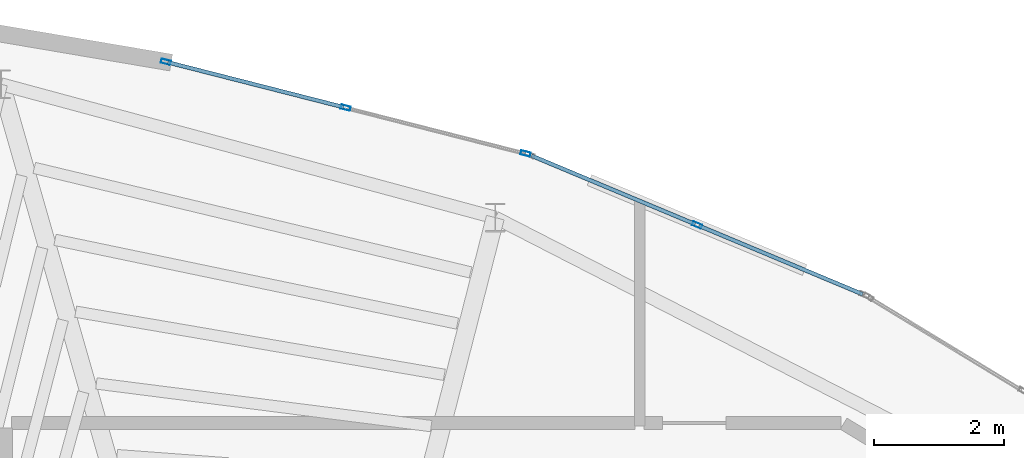
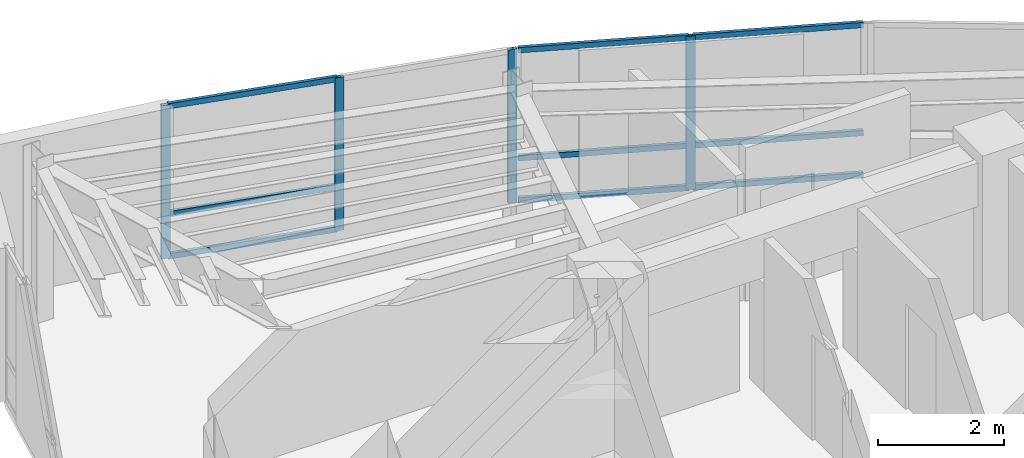
# One storey, part 9 of 14: 13 members, 2 elements without a shape of their own.
"""IFC4 building model written with IfcOpenShell, lengths in metres."""

from ifc_helpers import new_model, si_unit, direction, frame, origin, origin_2d, place, context, subcontext, project, spatial, hollow_rectangle, extrude, material, layer, layer_set, material_profile, profile_set, type_object, element, aggregate, save


model = new_model("IFC4")

# Units and contexts
model_context = context("Model", 3, precision=1e-05, world=origin(), true_north=direction((0.0, 1.0)))
body_context = subcontext(model_context, "Body", "Model", "MODEL_VIEW")
ifc_project = project(units=[si_unit("LENGTHUNIT", "METRE"), si_unit("AREAUNIT", "SQUARE_METRE"), si_unit("VOLUMEUNIT", "CUBIC_METRE"), si_unit("PLANEANGLEUNIT", "RADIAN"), si_unit("MASSUNIT", "GRAM", prefix="KILO")], contexts=[model_context])

# Site, building, storey
site_placement = place(None, origin())
site = spatial("IfcSite", under=ifc_project, at=site_placement, CompositionType="ELEMENT")
building_placement = place(site_placement, origin())
building = spatial("IfcBuilding", under=site, at=building_placement, Name="Menara Vayukalpa", CompositionType="ELEMENT")
storey_placement = place(building_placement, frame((0.0, 0.0, 305.6201171875)))
storey = spatial("IfcBuildingStorey", under=building, at=storey_placement, Name="L78", CompositionType="ELEMENT", Elevation=305.6201171875)

# Curtain wall, member
ifc_material_1 = material(Name="Anodised Terracotta Aluminium Alloy 6063-T6", Category="masonry")
ifc_layer = layer(ifc_material_1, 0.14990234375)
ifc_layer_set = layer_set([ifc_layer], Name="Anodised Terracotta Aluminium Alloy 6063-T6")
curtain_wall_type = type_object("IfcCurtainWallType", Name="CW-CW7", PredefinedType="USERDEFINED", material=ifc_layer_set)
curtain_wall_1_placement = place(storey_placement, origin())
curtain_wall_1 = element("IfcCurtainWall", 1, at=curtain_wall_1_placement, inside=storey, type_object=curtain_wall_type, Name="L78 Crown Drum Screened Curtain Wall CW7 05", ObjectType="UNITISED", PredefinedType="USERDEFINED")
ifc_material_2 = material(Name="Anodised Terracotta Aluminium Alloy 6063-T6", Category="masonry")
ifc_material_profile_1 = material_profile(ifc_material_2, hollow_rectangle(XDim=0.06494140625, YDim=0.14990234375, WallThickness=0.00341796875, at=origin_2d()), Name="ALU 65x150x3.5")
ifc_profile_set_1 = profile_set([ifc_material_profile_1], Name="Anodised Terracotta Aluminium Alloy 6063-T6")
member_type_1 = type_object("IfcMemberType", Name="CWM-CW7", PredefinedType="MULLION", material=ifc_profile_set_1)
member_1_placement = place(storey_placement, frame((26.48583984375, 31.83544921875, 0.0), z_axis=(0.0, 0.0, 1.0), x_axis=(-0.385898361946, -0.922541302191, 0.0)))
member_1 = element("IfcMember", 2, at=member_1_placement, type_object=member_type_1, Name="CW7 mullion 2", PredefinedType="MULLION", context=body_context, shape_type="SweptSolid", body=[
    extrude(hollow_rectangle(XDim=0.06494140625, YDim=0.14990234375, WallThickness=0.00341796875, at=origin_2d()), origin(), (0.0, 0.0, 1.0), 2.97998046875),
])

# Curtain wall, members
curtain_wall_2_placement = place(storey_placement, origin())
curtain_wall_2 = element("IfcCurtainWall", 3, at=curtain_wall_2_placement, inside=storey, type_object=curtain_wall_type, Name="L78 Crown Drum Screened Curtain Wall CW7 06", ObjectType="UNITISED", PredefinedType="USERDEFINED")
member_2_placement = place(storey_placement, frame((23.83837890625, 32.937744140625, 0.0), z_axis=(0.0, 0.0, 1.0), x_axis=(-0.247123764219, -0.968983924097, 0.0)))
member_2 = element("IfcMember", 4, at=member_2_placement, type_object=member_type_1, Name="CW7 mullion 1", PredefinedType="MULLION", context=body_context, shape_type="SweptSolid", body=[
    extrude(hollow_rectangle(XDim=0.06494140625, YDim=0.14990234375, WallThickness=0.00341796875, at=origin_2d()), origin(), (0.0, 0.0, 1.0), 2.97998046875),
])
member_3_placement = place(storey_placement, frame((21.0615234375, 33.645751953125, 0.0), z_axis=(0.0, 0.0, 1.0), x_axis=(-0.247123764219, -0.968983924097, 0.0)))
member_3 = element("IfcMember", 5, at=member_3_placement, type_object=member_type_1, Name="CW7 mullion 2", PredefinedType="MULLION", context=body_context, shape_type="SweptSolid", body=[
    extrude(hollow_rectangle(XDim=0.06494140625, YDim=0.14990234375, WallThickness=0.00341796875, at=origin_2d()), origin(), (0.0, 0.0, 1.0), 2.97998046875),
])
member_4_placement = place(storey_placement, frame((18.284423828125, 34.35400390625, 0.0), z_axis=(0.0, 0.0, 1.0), x_axis=(-0.247123764219, -0.968983924097, 0.0)))
member_4 = element("IfcMember", 6, at=member_4_placement, type_object=member_type_1, Name="CW7 mullion 3", PredefinedType="MULLION", context=body_context, shape_type="SweptSolid", body=[
    extrude(hollow_rectangle(XDim=0.06494140625, YDim=0.14990234375, WallThickness=0.00341796875, at=origin_2d()), origin(), (0.0, 0.0, 1.0), 2.97998046875),
])

# Member
ifc_material_3 = material(Name="Anodised Terracotta Aluminium Alloy 6063-T6", Category="masonry")
ifc_material_profile_2 = material_profile(ifc_material_3, hollow_rectangle(XDim=0.06005859375, YDim=0.10498046875, WallThickness=0.0029296875, at=origin_2d()), Name="ALU 60x105x3")
ifc_profile_set_2 = profile_set([ifc_material_profile_2], Name="Anodised Terracotta Aluminium Alloy 6063-T6")
member_type_2 = type_object("IfcMemberType", Name="CWT-CW7", PredefinedType="USERDEFINED", material=ifc_profile_set_2)
member_5_placement = place(storey_placement, frame((29.041748046875, 30.76611328125, 0.02978515625), z_axis=(-0.922532551431, 0.385919281132, 0.0), x_axis=(-0.385919281132, -0.922532551431, 0.0)))
member_5 = element("IfcMember", 7, at=member_5_placement, type_object=member_type_2, Name="CW7 transom 1.1", ObjectType="TRANSOM", PredefinedType="USERDEFINED", context=body_context, shape_type="SweptSolid", body=[
    extrude(hollow_rectangle(XDim=0.06005859375, YDim=0.10498046875, WallThickness=0.0029296875, at=origin_2d()), origin(), (0.0, 0.0, 1.0), 2.738037109375),
])

member_6_placement = place(storey_placement, frame((29.041748046875, 30.76611328125, 0.849853515625), z_axis=(-0.922532551431, 0.385919281132, 0.0), x_axis=(-0.385919281132, -0.922532551431, 0.0)))
member_6 = element("IfcMember", 8, at=member_6_placement, type_object=member_type_2, Name="CW7 transom 1.2", ObjectType="TRANSOM", PredefinedType="USERDEFINED", context=body_context, shape_type="SweptSolid", body=[
    extrude(hollow_rectangle(XDim=0.06005859375, YDim=0.10498046875, WallThickness=0.0029296875, at=origin_2d()), origin(), (0.0, 0.0, 1.0), 2.738037109375),
])

member_7_placement = place(storey_placement, frame((29.041748046875, 30.76611328125, 2.949951171875), z_axis=(-0.922532551431, 0.385919281132, 0.0), x_axis=(-0.385919281132, -0.922532551431, 0.0)))
member_7 = element("IfcMember", 9, at=member_7_placement, type_object=member_type_2, Name="CW7 transom 1.3", ObjectType="TRANSOM", PredefinedType="USERDEFINED", context=body_context, shape_type="SweptSolid", body=[
    extrude(hollow_rectangle(XDim=0.06005859375, YDim=0.10498046875, WallThickness=0.0029296875, at=origin_2d()), origin(), (0.0, 0.0, 1.0), 2.738037109375),
])

member_8_placement = place(storey_placement, frame((26.455810546875, 31.847900390625, 0.02978515625), z_axis=(-0.922532551431, 0.385919281132, 0.0), x_axis=(-0.385919281132, -0.922532551431, 0.0)))
member_8 = element("IfcMember", 10, at=member_8_placement, type_object=member_type_2, Name="CW7 transom 2.1", ObjectType="TRANSOM", PredefinedType="USERDEFINED", context=body_context, shape_type="SweptSolid", body=[
    extrude(hollow_rectangle(XDim=0.06005859375, YDim=0.10498046875, WallThickness=0.0029296875, at=origin_2d()), origin(), (0.0, 0.0, 1.0), 2.738037109375),
])

member_9_placement = place(storey_placement, frame((26.455810546875, 31.847900390625, 0.849853515625), z_axis=(-0.922532551431, 0.385919281132, 0.0), x_axis=(-0.385919281132, -0.922532551431, 0.0)))
member_9 = element("IfcMember", 11, at=member_9_placement, type_object=member_type_2, Name="CW7 transom 2.2", ObjectType="TRANSOM", PredefinedType="USERDEFINED", context=body_context, shape_type="SweptSolid", body=[
    extrude(hollow_rectangle(XDim=0.06005859375, YDim=0.10498046875, WallThickness=0.0029296875, at=origin_2d()), origin(), (0.0, 0.0, 1.0), 2.738037109375),
])

member_10_placement = place(storey_placement, frame((26.455810546875, 31.847900390625, 2.949951171875), z_axis=(-0.922532551431, 0.385919281132, 0.0), x_axis=(-0.385919281132, -0.922532551431, 0.0)))
member_10 = element("IfcMember", 12, at=member_10_placement, type_object=member_type_2, Name="CW7 transom 2.3", ObjectType="TRANSOM", PredefinedType="USERDEFINED", context=body_context, shape_type="SweptSolid", body=[
    extrude(hollow_rectangle(XDim=0.06005859375, YDim=0.10498046875, WallThickness=0.0029296875, at=origin_2d()), origin(), (0.0, 0.0, 1.0), 2.738037109375),
])

aggregate(curtain_wall_1, [member_1, member_5, member_6, member_7, member_8, member_9, member_10])

member_11_placement = place(storey_placement, frame((21.030029296875, 33.65380859375, 0.02978515625), z_axis=(-0.968988349591, 0.247106411, 0.0), x_axis=(-0.247106411, -0.968988349591, 0.0)))
member_11 = element("IfcMember", 13, at=member_11_placement, type_object=member_type_2, Name="CW7 transom 2.1", ObjectType="TRANSOM", PredefinedType="USERDEFINED", context=body_context, shape_type="SweptSolid", body=[
    extrude(hollow_rectangle(XDim=0.06005859375, YDim=0.10498046875, WallThickness=0.0029296875, at=origin_2d()), origin(), (0.0, 0.0, 1.0), 2.801025390625),
])

member_12_placement = place(storey_placement, frame((21.030029296875, 33.65380859375, 0.849853515625), z_axis=(-0.968988349591, 0.247106411, 0.0), x_axis=(-0.247106411, -0.968988349591, 0.0)))
member_12 = element("IfcMember", 14, at=member_12_placement, type_object=member_type_2, Name="CW7 transom 2.2", ObjectType="TRANSOM", PredefinedType="USERDEFINED", context=body_context, shape_type="SweptSolid", body=[
    extrude(hollow_rectangle(XDim=0.06005859375, YDim=0.10498046875, WallThickness=0.0029296875, at=origin_2d()), origin(), (0.0, 0.0, 1.0), 2.801025390625),
])

member_13_placement = place(storey_placement, frame((21.030029296875, 33.65380859375, 2.949951171875), z_axis=(-0.968988349591, 0.247106411, 0.0), x_axis=(-0.247106411, -0.968988349591, 0.0)))
member_13 = element("IfcMember", 15, at=member_13_placement, type_object=member_type_2, Name="CW7 transom 2.3", ObjectType="TRANSOM", PredefinedType="USERDEFINED", context=body_context, shape_type="SweptSolid", body=[
    extrude(hollow_rectangle(XDim=0.06005859375, YDim=0.10498046875, WallThickness=0.0029296875, at=origin_2d()), origin(), (0.0, 0.0, 1.0), 2.801025390625),
])

aggregate(curtain_wall_2, [member_2, member_3, member_4, member_11, member_12, member_13])

save(model, "model.ifc")
